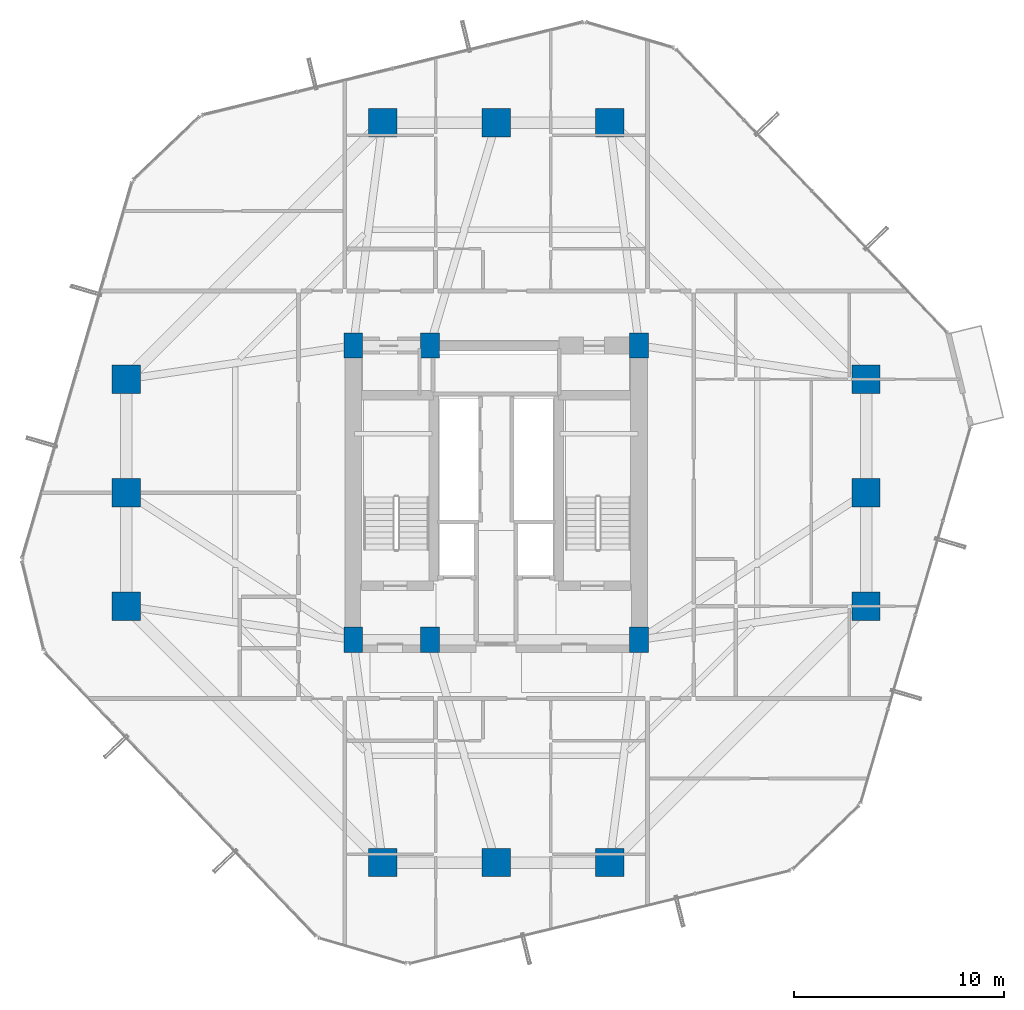
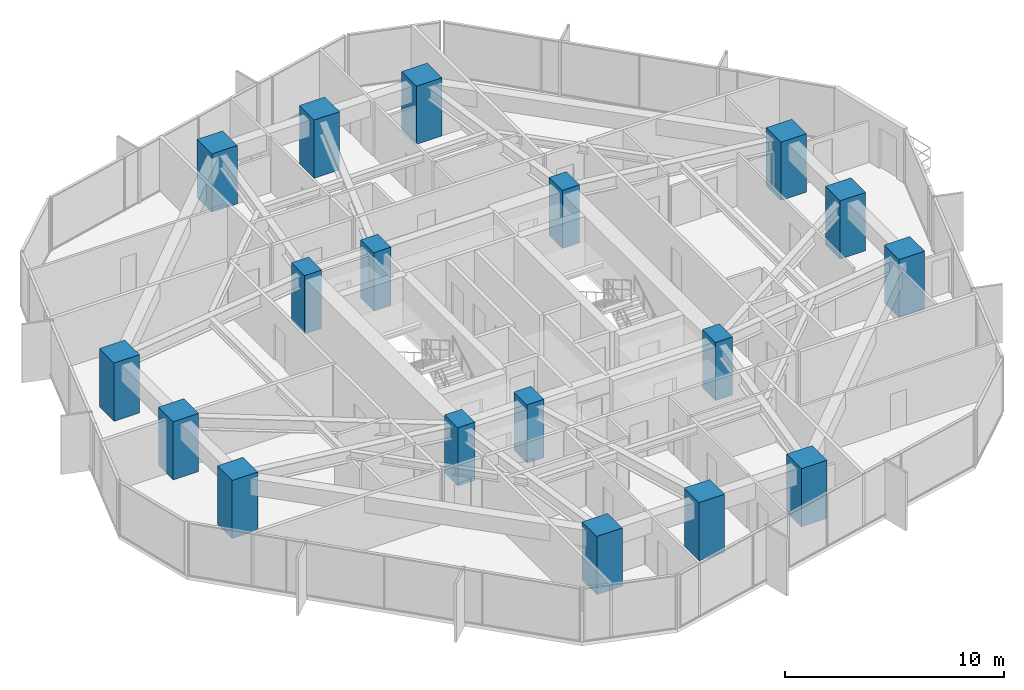
# One storey, part 1 of 37: 18 columns.
"""IFC4 building model written with IfcOpenShell, lengths in metres."""

from ifc_helpers import new_model, si_unit, direction, frame, origin, origin_2d, place, context, subcontext, project, spatial, rectangle, extrude, material, material_profile, profile_set, type_object, element, save


model = new_model("IFC4")

# Units and contexts
model_context = context("Model", 3, precision=1e-05, world=origin(), true_north=direction((0.0, 1.0)))
body_context = subcontext(model_context, "Body", "Model", "MODEL_VIEW")
ifc_project = project(units=[si_unit("LENGTHUNIT", "METRE"), si_unit("AREAUNIT", "SQUARE_METRE"), si_unit("VOLUMEUNIT", "CUBIC_METRE"), si_unit("PLANEANGLEUNIT", "RADIAN"), si_unit("MASSUNIT", "GRAM", prefix="KILO")], contexts=[model_context])

# Site, building, storey
site_placement = place(None, origin())
site = spatial("IfcSite", under=ifc_project, at=site_placement, CompositionType="ELEMENT")
building_placement = place(site_placement, origin())
building = spatial("IfcBuilding", under=site, at=building_placement, Name="Veraguas Prism Commons", CompositionType="ELEMENT")
storey_placement = place(building_placement, frame((0.0, 0.0, 70.60009765625)))
storey = spatial("IfcBuildingStorey", under=building, at=storey_placement, Name="L19", CompositionType="ELEMENT", Elevation=70.60009765625)

# Columns
ifc_material = material(Name="Concrete C60/75", Category="concrete")
ifc_material_profile_1 = material_profile(ifc_material, rectangle(XDim=1.35009765625, YDim=1.35009765625, at=origin_2d()), Name="RC1350X1350")
ifc_profile_set_1 = profile_set([ifc_material_profile_1], Name="Concrete C60/75")
column_type_1 = type_object("IfcColumnType", Name="Column Tube Z1 RC 1350x1350", PredefinedType="COLUMN", material=ifc_profile_set_1)
for number, where, z_axis, x_axis, name in (
    (1, (41.60009765625, 18.60009765625, 0.0), (0.0, 0.0, 1.0), (1.0, 0.0, 0.0), "Tower Perimeter Column L19-TB01"),
    (2, (41.60009765625, 24.0, 0.0), (0.0, 0.0, 1.0), (1.0, 0.0, 0.0), "Tower Perimeter Column L19-TB02"),
    (3, (41.60009765625, 29.39990234375, 0.0), (0.0, 0.0, 1.0), (1.0, 0.0, 0.0), "Tower Perimeter Column L19-TB03"),
    (4, (29.39990234375, 41.60009765625, 0.0), (0.0, 0.0, 1.0), (1.0, 0.0, 0.0), "Tower Perimeter Column L19-TB04"),
    (5, (24.0, 41.60009765625, 0.0), (0.0, 0.0, 1.0), (1.0, 0.0, 0.0), "Tower Perimeter Column L19-TB05"),
    (6, (18.60009765625, 41.60009765625, 0.0), (0.0, 0.0, 1.0), (1.0, 0.0, 0.0), "Tower Perimeter Column L19-TB06"),
    (7, (6.39990234375, 29.39990234375, 0.0), (0.0, 0.0, 1.0), (1.0, 0.0, 0.0), "Tower Perimeter Column L19-TB07"),
    (8, (6.39990234375, 24.0, 0.0), (0.0, 0.0, 1.0), (1.0, 0.0, 0.0), "Tower Perimeter Column L19-TB08"),
    (9, (6.39990234375, 18.60009765625, 0.0), (0.0, 0.0, 1.0), (1.0, 0.0, 0.0), "Tower Perimeter Column L19-TB09"),
    (10, (18.60009765625, 6.39990234375, 0.0), (0.0, 0.0, 1.0), (1.0, 0.0, 0.0), "Tower Perimeter Column L19-TB10"),
    (11, (24.0, 6.39990234375, 0.0), (0.0, 0.0, 1.0), (1.0, 0.0, 0.0), "Tower Perimeter Column L19-TB11"),
    (12, (29.39990234375, 6.39990234375, 0.0), (0.0, 0.0, 1.0), (1.0, 0.0, 0.0), "Tower Perimeter Column L19-TB12"),
):
    element("IfcColumn", number, at=place(storey_placement, frame(where, z_axis=z_axis, x_axis=x_axis)), inside=storey, type_object=column_type_1, Name=name, PredefinedType="COLUMN", context=body_context, shape_type="SweptSolid", body=[
        extrude(rectangle(XDim=1.35009765625, YDim=1.35009765625, at=origin_2d()), origin(), (0.0, 0.0, 1.0), 3.25),
    ])
ifc_material_profile_2 = material_profile(ifc_material, rectangle(XDim=0.89990234375, YDim=1.199951171875, at=origin_2d()), Name="RC900X1200")
ifc_profile_set_2 = profile_set([ifc_material_profile_2], Name="Concrete C60/75")
column_type_2 = type_object("IfcColumnType", Name="Pilaster Core Lower RC 900x1200", PredefinedType="PILASTER", material=ifc_profile_set_2)
for number, where, z_axis, x_axis, name in (
    (13, (17.199951171875, 17.0, 0.0), (0.0, 0.0, 1.0), (1.0, 0.0, 0.0), "Core Pilaster Column L19-CR1"),
    (14, (20.85009765625, 17.0, 0.0), (0.0, 0.0, 1.0), (1.0, 0.0, 0.0), "Core Pilaster Column L19-CR2"),
    (15, (30.800048828125, 17.0, 0.0), (0.0, 0.0, 1.0), (1.0, 0.0, 0.0), "Core Pilaster Column L19-CR3"),
    (16, (17.199951171875, 31.0, 0.0), (0.0, 0.0, 1.0), (1.0, 0.0, 0.0), "Core Pilaster Column L19-CR4"),
    (17, (20.85009765625, 31.0, 0.0), (0.0, 0.0, 1.0), (1.0, 0.0, 0.0), "Core Pilaster Column L19-CR5"),
    (18, (30.800048828125, 31.0, 0.0), (0.0, 0.0, 1.0), (1.0, 0.0, 0.0), "Core Pilaster Column L19-CR6"),
):
    element("IfcColumn", number, at=place(storey_placement, frame(where, z_axis=z_axis, x_axis=x_axis)), inside=storey, type_object=column_type_2, Name=name, PredefinedType="PILASTER", context=body_context, shape_type="SweptSolid", body=[
        extrude(rectangle(XDim=0.89990234375, YDim=1.199951171875, at=origin_2d()), origin(), (0.0, 0.0, 1.0), 3.25),
    ])

save(model, "model.ifc")
